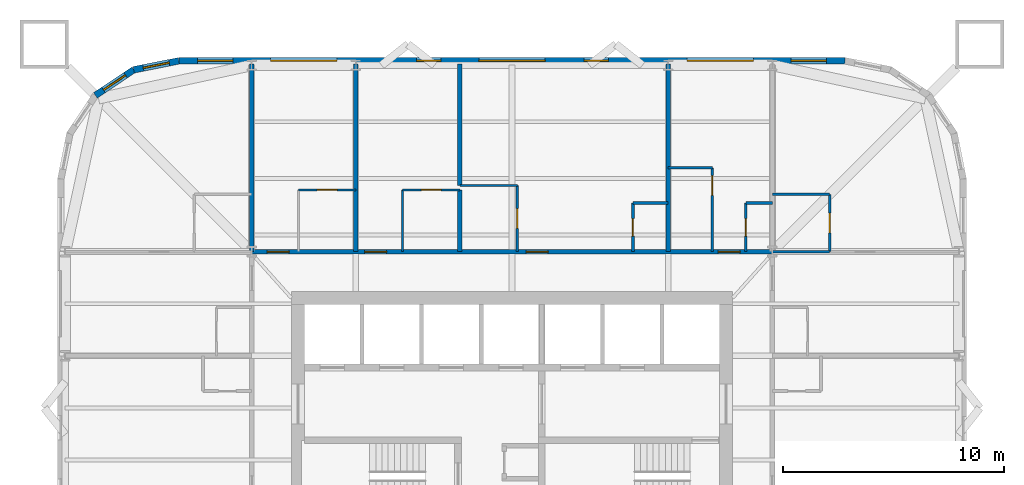
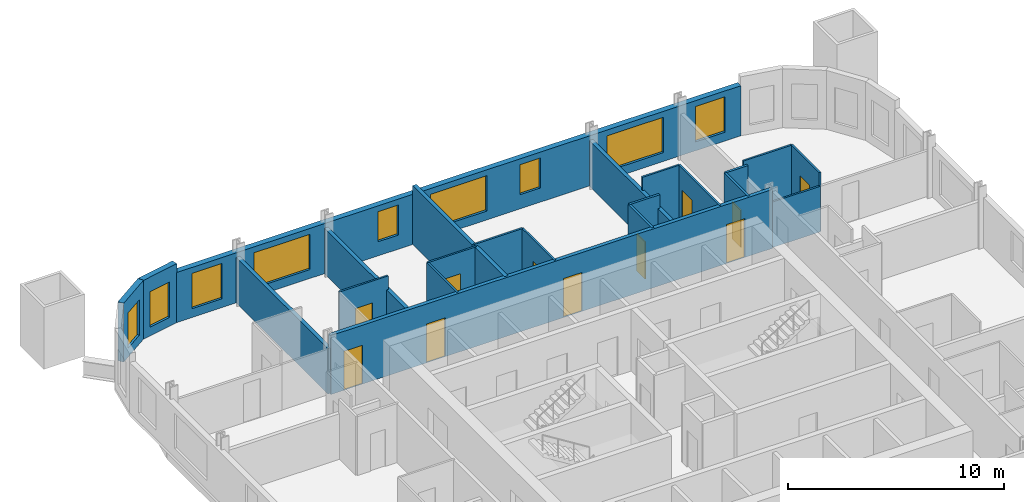
# One storey, part 7 of 9: 23 walls, 11 doors, 9 windows, 20 openings.
"""IFC4 building model written with IfcOpenShell, lengths in metres."""

from ifc_helpers import new_model, si_unit, direction, frame, frame_2d, origin, place, context, subcontext, project, spatial, rectangle, extrude, material, layer, layer_set, type_object, element, fill, save


model = new_model("IFC4")

# Units and contexts
model_context = context("Model", 3, precision=1e-05, world=origin(), true_north=direction((0.0, 1.0)))
body_context = subcontext(model_context, "Body", "Model", "MODEL_VIEW")
ifc_project = project(units=[si_unit("LENGTHUNIT", "METRE"), si_unit("AREAUNIT", "SQUARE_METRE"), si_unit("VOLUMEUNIT", "CUBIC_METRE"), si_unit("PLANEANGLEUNIT", "RADIAN"), si_unit("MASSUNIT", "GRAM", prefix="KILO")], contexts=[model_context])

# Site, building, storey
site_placement = place(None, origin())
site = spatial("IfcSite", under=ifc_project, at=site_placement, CompositionType="ELEMENT")
building_placement = place(site_placement, origin())
building = spatial("IfcBuilding", under=site, at=building_placement, Name="Turquesa Mirador Hotel Tower", CompositionType="ELEMENT")
storey_placement = place(building_placement, frame((0.0, 0.0, 131.89990234375)))
storey = spatial("IfcBuildingStorey", under=building, at=storey_placement, Name="L35", CompositionType="ELEMENT", Elevation=131.89990234375)

# Walls
ifc_material_1 = material(Name="Gypsum board on steel studs", Category="steel")
ifc_layer_1 = layer(ifc_material_1, 0.10009765625)
ifc_layer_set_1 = layer_set([ifc_layer_1], Name="BATHROOM WALL 100")
wall_type_1 = type_object("IfcWallType", Name="BATHROOM WALL 100", PredefinedType="PARTITIONING", material=ifc_layer_set_1)
wall_1_placement = place(storey_placement, frame((66.800048828125, 56.800048828125, 0.0), z_axis=(0.0, 0.0, 1.0), x_axis=(1.0, 0.0, 0.0)))
element("IfcWall", 1, at=wall_1_placement, inside=storey, type_object=wall_type_1, Name="Partition L35 025", PredefinedType="PARTITIONING", context=body_context, shape_type="SweptSolid", body=[
    extrude(rectangle(XDim=2.599853515625, YDim=0.10009765625, at=frame_2d((1.2998046875, 0.0))), origin(), (0.0, 0.0, 1.0), 2.5732421875),
])
wall_2_placement = place(storey_placement, frame((66.800048828125, 59.39990234375, 0.0), z_axis=(0.0, 0.0, 1.0), x_axis=(1.0, 0.0, 0.0)))
element("IfcWall", 2, at=wall_2_placement, inside=storey, type_object=wall_type_1, Name="Partition L35 032", PredefinedType="PARTITIONING", context=body_context, shape_type="SweptSolid", body=[
    extrude(rectangle(XDim=2.599853515625, YDim=0.10009765625, at=frame_2d((1.2998046875, 0.0))), origin(), (0.0, 0.0, 1.0), 3.330078125),
])

# Wall, opening, door
wall_3_placement = place(storey_placement, frame((45.320068359375, 59.60009765625, 0.0), z_axis=(0.0, 0.0, 1.0), x_axis=(1.0, 0.0, 0.0)))
wall_3 = element("IfcWall", 3, at=wall_3_placement, inside=storey, type_object=wall_type_1, Name="Partition L35 033", PredefinedType="PARTITIONING", context=body_context, shape_type="SweptSolid", body=[
    extrude(rectangle(XDim=2.599853515625, YDim=0.10009765625, at=frame_2d((1.2998046875, 0.0))), origin(), (0.0, 0.0, 1.0), 3.330078125),
])
opening_1_placement = place(wall_3_placement, frame((0.85009765625, 0.0, 0.0)))
opening_1 = element("IfcOpeningElement", 4, at=opening_1_placement, cuts=wall_3, Name="Opening D02", PredefinedType="OPENING", context=body_context, shape_type="SweptSolid", body=[
    extrude(rectangle(XDim=0.89990234375, YDim=2.10009765625, at=frame_2d((0.449951171875, 1.050048828125))), frame((0.0, 0.06005859375, 0.0), z_axis=(0.0, -1.0, 0.0), x_axis=(1.0, 0.0, 0.0)), (0.0, 0.0, 1.0), 0.1201171875),
])
ifc_material_2 = material(Name="Timber veneered door", Category="wood")
door_type_1 = type_object("IfcDoorType", Name="DOOR 900X2100 EN-SUITE", OperationType="SINGLE_SWING_RIGHT", PredefinedType="DOOR", material=ifc_material_2)
door_1_placement = place(opening_1_placement, origin())
door_1 = element("IfcDoor", 5, at=door_1_placement, inside=storey, type_object=door_type_1, Name="Door 3501B", OperationType="SINGLE_SWING_RIGHT", OverallHeight=2.10009765625, OverallWidth=0.89990234375, PredefinedType="DOOR", context=body_context, shape_type="SweptSolid", body=[
    extrude(rectangle(XDim=0.89990234375, YDim=2.10009765625, at=frame_2d((0.449951171875, 1.050048828125))), frame((0.0, 0.02490234375, 0.0), z_axis=(0.0, -1.0, 0.0), x_axis=(1.0, 0.0, 0.0)), (0.0, 0.0, 1.0), 0.050048828125),
])
fill(opening_1, door_1)

wall_4_placement = place(storey_placement, frame((50.0400390625, 59.60009765625, 0.0), z_axis=(0.0, 0.0, 1.0), x_axis=(1.0, 0.0, 0.0)))
wall_4 = element("IfcWall", 6, at=wall_4_placement, inside=storey, type_object=wall_type_1, Name="Partition L35 034", PredefinedType="PARTITIONING", context=body_context, shape_type="SweptSolid", body=[
    extrude(rectangle(XDim=2.599853515625, YDim=0.10009765625, at=frame_2d((1.2998046875, 0.0))), origin(), (0.0, 0.0, 1.0), 3.330078125),
])
opening_2_placement = place(wall_4_placement, frame((0.85009765625, 0.0, 0.0)))
opening_2 = element("IfcOpeningElement", 7, at=opening_2_placement, cuts=wall_4, Name="Opening D02", PredefinedType="OPENING", context=body_context, shape_type="SweptSolid", body=[
    extrude(rectangle(XDim=0.89990234375, YDim=2.10009765625, at=frame_2d((0.449951171875, 1.050048828125))), frame((0.0, 0.06005859375, 0.0), z_axis=(0.0, -1.0, 0.0), x_axis=(1.0, 0.0, 0.0)), (0.0, 0.0, 1.0), 0.1201171875),
])
door_2_placement = place(opening_2_placement, origin())
door_2 = element("IfcDoor", 8, at=door_2_placement, inside=storey, type_object=door_type_1, Name="Door 3502B", OperationType="SINGLE_SWING_RIGHT", OverallHeight=2.10009765625, OverallWidth=0.89990234375, PredefinedType="DOOR", context=body_context, shape_type="SweptSolid", body=[
    extrude(rectangle(XDim=0.89990234375, YDim=2.10009765625, at=frame_2d((0.449951171875, 1.050048828125))), frame((0.0, 0.02490234375, 0.0), z_axis=(0.0, -1.0, 0.0), x_axis=(1.0, 0.0, 0.0)), (0.0, 0.0, 1.0), 0.050048828125),
])
fill(opening_2, door_2)

# Walls
wall_5_placement = place(storey_placement, frame((52.639892578125, 59.800048828125, 0.0), z_axis=(0.0, 0.0, 1.0), x_axis=(1.0, 0.0, 0.0)))
element("IfcWall", 9, at=wall_5_placement, inside=storey, type_object=wall_type_1, Name="Partition L35 035", PredefinedType="PARTITIONING", context=body_context, shape_type="SweptSolid", body=[
    extrude(rectangle(XDim=2.60009765625, YDim=0.10009765625, at=frame_2d((1.300048828125, 0.0))), origin(), (0.0, 0.0, 1.0), 3.330078125),
])
wall_6_placement = place(storey_placement, frame((62.080078125, 60.60009765625, 0.0), z_axis=(0.0, 0.0, 1.0), x_axis=(1.0, 0.0, 0.0)))
element("IfcWall", 10, at=wall_6_placement, inside=storey, type_object=wall_type_1, Name="Partition L35 036", PredefinedType="PARTITIONING", context=body_context, shape_type="SweptSolid", body=[
    extrude(rectangle(XDim=2.0, YDim=0.10009765625, at=frame_2d((1.0, 0.0))), origin(), (0.0, 0.0, 1.0), 3.330078125),
])
wall_7_placement = place(storey_placement, frame((50.0400390625, 56.800048828125, 0.0), z_axis=(0.0, 0.0, 1.0), x_axis=(0.0, 1.0, 0.0)))
element("IfcWall", 11, at=wall_7_placement, inside=storey, type_object=wall_type_1, Name="Partition L35 059", PredefinedType="PARTITIONING", context=body_context, shape_type="SweptSolid", body=[
    extrude(rectangle(XDim=2.800048828125, YDim=0.10009765625, at=frame_2d((1.39990234375, 0.0))), origin(), (0.0, 0.0, 1.0), 3.330078125),
])

# Wall, opening, door
wall_8_placement = place(storey_placement, frame((55.239990234375, 56.800048828125, 0.0), z_axis=(0.0, 0.0, 1.0), x_axis=(0.0, 1.0, 0.0)))
wall_8 = element("IfcWall", 12, at=wall_8_placement, inside=storey, type_object=wall_type_1, Name="Partition L35 063", PredefinedType="PARTITIONING", context=body_context, shape_type="SweptSolid", body=[
    extrude(rectangle(XDim=3.0, YDim=0.10009765625, at=frame_2d((1.5, 0.0))), origin(), (0.0, 0.0, 1.0), 3.330078125),
])
opening_3_placement = place(wall_8_placement, frame((1.050048828125, 0.0, 0.0)))
opening_3 = element("IfcOpeningElement", 13, at=opening_3_placement, cuts=wall_8, Name="Opening D02", PredefinedType="OPENING", context=body_context, shape_type="SweptSolid", body=[
    extrude(rectangle(XDim=0.89990234375, YDim=2.10009765625, at=frame_2d((0.449951171875, 1.050048828125))), frame((0.0, 0.06005859375, 0.0), z_axis=(0.0, -1.0, 0.0), x_axis=(1.0, 0.0, 0.0)), (0.0, 0.0, 1.0), 0.1201171875),
])
door_3_placement = place(opening_3_placement, origin())
door_3 = element("IfcDoor", 14, at=door_3_placement, inside=storey, type_object=door_type_1, Name="Door 3503B", OperationType="SINGLE_SWING_RIGHT", OverallHeight=2.10009765625, OverallWidth=0.89990234375, PredefinedType="DOOR", context=body_context, shape_type="SweptSolid", body=[
    extrude(rectangle(XDim=0.89990234375, YDim=2.10009765625, at=frame_2d((0.449951171875, 1.050048828125))), frame((0.0, 0.02490234375, 0.0), z_axis=(0.0, -1.0, 0.0), x_axis=(1.0, 0.0, 0.0)), (0.0, 0.0, 1.0), 0.050048828125),
])
fill(opening_3, door_3)

wall_9_placement = place(storey_placement, frame((69.39990234375, 56.800048828125, 0.0), z_axis=(0.0, 0.0, 1.0), x_axis=(0.0, 1.0, 0.0)))
wall_9 = element("IfcWall", 15, at=wall_9_placement, inside=storey, type_object=wall_type_1, Name="Partition L35 072", PredefinedType="PARTITIONING", context=body_context, shape_type="SweptSolid", body=[
    extrude(rectangle(XDim=2.599853515625, YDim=0.10009765625, at=frame_2d((1.2998046875, 0.0))), origin(), (0.0, 0.0, 1.0), 3.330078125),
])
opening_4_placement = place(wall_9_placement, frame((0.85009765625, 0.0, 0.0)))
opening_4 = element("IfcOpeningElement", 16, at=opening_4_placement, cuts=wall_9, Name="Opening D02", PredefinedType="OPENING", context=body_context, shape_type="SweptSolid", body=[
    extrude(rectangle(XDim=0.89990234375, YDim=2.10009765625, at=frame_2d((0.449951171875, 1.050048828125))), frame((0.0, 0.06005859375, 0.0), z_axis=(0.0, -1.0, 0.0), x_axis=(1.0, 0.0, 0.0)), (0.0, 0.0, 1.0), 0.1201171875),
])
door_4_placement = place(opening_4_placement, origin())
door_4 = element("IfcDoor", 17, at=door_4_placement, inside=storey, type_object=door_type_1, Name="Door 3511B", OperationType="SINGLE_SWING_RIGHT", OverallHeight=2.10009765625, OverallWidth=0.89990234375, PredefinedType="DOOR", context=body_context, shape_type="SweptSolid", body=[
    extrude(rectangle(XDim=0.89990234375, YDim=2.10009765625, at=frame_2d((0.449951171875, 1.050048828125))), frame((0.0, 0.02490234375, 0.0), z_axis=(0.0, -1.0, 0.0), x_axis=(1.0, 0.0, 0.0)), (0.0, 0.0, 1.0), 0.050048828125),
])
fill(opening_4, door_4)

wall_10_placement = place(storey_placement, frame((64.080078125, 56.800048828125, 0.0), z_axis=(0.0, 0.0, 1.0), x_axis=(0.0, 1.0, 0.0)))
wall_10 = element("IfcWall", 18, at=wall_10_placement, inside=storey, type_object=wall_type_1, Name="Partition L35 078", PredefinedType="PARTITIONING", context=body_context, shape_type="SweptSolid", body=[
    extrude(rectangle(XDim=3.800048828125, YDim=0.10009765625, at=frame_2d((1.89990234375, 0.0))), origin(), (0.0, 0.0, 1.0), 3.330078125),
])
opening_5_placement = place(wall_10_placement, frame((2.550048828125, 0.0, 0.0)))
opening_5 = element("IfcOpeningElement", 19, at=opening_5_placement, cuts=wall_10, Name="Opening D02", PredefinedType="OPENING", context=body_context, shape_type="SweptSolid", body=[
    extrude(rectangle(XDim=0.89990234375, YDim=2.10009765625, at=frame_2d((0.449951171875, 1.050048828125))), frame((0.0, 0.06005859375, 0.0), z_axis=(0.0, -1.0, 0.0), x_axis=(1.0, 0.0, 0.0)), (0.0, 0.0, 1.0), 0.1201171875),
])
door_5_placement = place(opening_5_placement, origin())
door_5 = element("IfcDoor", 20, at=door_5_placement, inside=storey, type_object=door_type_1, Name="Door 3504B", OperationType="SINGLE_SWING_RIGHT", OverallHeight=2.10009765625, OverallWidth=0.89990234375, PredefinedType="DOOR", context=body_context, shape_type="SweptSolid", body=[
    extrude(rectangle(XDim=0.89990234375, YDim=2.10009765625, at=frame_2d((0.449951171875, 1.050048828125))), frame((0.0, 0.02490234375, 0.0), z_axis=(0.0, -1.0, 0.0), x_axis=(1.0, 0.0, 0.0)), (0.0, 0.0, 1.0), 0.050048828125),
])
fill(opening_5, door_5)

# Wall, openings, doors
ifc_material_3 = material(Name="Fire-rated gypsum board on steel studs", Category="steel")
ifc_layer_2 = layer(ifc_material_3, 0.199951171875)
ifc_layer_set_2 = layer_set([ifc_layer_2], Name="CORRIDOR WALL 200")
wall_type_2 = type_object("IfcWallType", Name="CORRIDOR WALL 200", PredefinedType="PARTITIONING", material=ifc_layer_set_2)
wall_11_placement = place(storey_placement, frame((43.199951171875, 56.800048828125, 0.0), z_axis=(0.0, 0.0, 1.0), x_axis=(1.0, 0.0, 0.0)))
wall_11 = element("IfcWall", 21, at=wall_11_placement, inside=storey, type_object=wall_type_2, Name="Partition L35 026", PredefinedType="PARTITIONING", context=body_context, shape_type="SweptSolid", body=[
    extrude(rectangle(XDim=23.60009765625, YDim=0.199951171875, at=frame_2d((11.800048828125, 0.0))), origin(), (0.0, 0.0, 1.0), 3.330078125),
])
opening_6_placement = place(wall_11_placement, frame((0.699951171875, 0.0, 0.0)))
opening_6 = element("IfcOpeningElement", 22, at=opening_6_placement, cuts=wall_11, Name="Opening D01", PredefinedType="OPENING", context=body_context, shape_type="SweptSolid", body=[
    extrude(rectangle(XDim=1.0, YDim=2.199951171875, at=frame_2d((0.5, 1.10009765625))), frame((0.0, 0.10986328125, 0.0), z_axis=(0.0, -1.0, 0.0), x_axis=(1.0, 0.0, 0.0)), (0.0, 0.0, 1.0), 0.219970703125),
])
opening_7_placement = place(wall_11_placement, frame((5.1201171875, 0.0, 0.0)))
opening_7 = element("IfcOpeningElement", 23, at=opening_7_placement, cuts=wall_11, Name="Opening D01", PredefinedType="OPENING", context=body_context, shape_type="SweptSolid", body=[
    extrude(rectangle(XDim=1.0, YDim=2.199951171875, at=frame_2d((0.5, 1.10009765625))), frame((0.0, 0.10986328125, 0.0), z_axis=(0.0, -1.0, 0.0), x_axis=(1.0, 0.0, 0.0)), (0.0, 0.0, 1.0), 0.219970703125),
])
opening_8_placement = place(wall_11_placement, frame((12.43994140625, 0.0, 0.0)))
opening_8 = element("IfcOpeningElement", 24, at=opening_8_placement, cuts=wall_11, Name="Opening D01", PredefinedType="OPENING", context=body_context, shape_type="SweptSolid", body=[
    extrude(rectangle(XDim=1.0, YDim=2.199951171875, at=frame_2d((0.5, 1.10009765625))), frame((0.0, 0.10986328125, 0.0), z_axis=(0.0, -1.0, 0.0), x_axis=(1.0, 0.0, 0.0)), (0.0, 0.0, 1.0), 0.219970703125),
])
opening_9_placement = place(wall_11_placement, frame((21.139892578125, 0.0, 0.0)))
opening_9 = element("IfcOpeningElement", 25, at=opening_9_placement, cuts=wall_11, Name="Opening D01", PredefinedType="OPENING", context=body_context, shape_type="SweptSolid", body=[
    extrude(rectangle(XDim=1.0, YDim=2.199951171875, at=frame_2d((0.5, 1.10009765625))), frame((0.0, 0.10986328125, 0.0), z_axis=(0.0, -1.0, 0.0), x_axis=(1.0, 0.0, 0.0)), (0.0, 0.0, 1.0), 0.219970703125),
])
ifc_material_4 = material(Name="Timber veneered fire door", Category="wood")
door_type_2 = type_object("IfcDoorType", Name="DOOR 1000X2200 GUEST ENTRY", OperationType="SINGLE_SWING_LEFT", PredefinedType="DOOR", material=ifc_material_4)
door_6_placement = place(opening_6_placement, origin())
door_6 = element("IfcDoor", 26, at=door_6_placement, inside=storey, type_object=door_type_2, Name="Door 3501", OperationType="SINGLE_SWING_LEFT", OverallHeight=2.199951171875, OverallWidth=1.0, PredefinedType="DOOR", context=body_context, shape_type="SweptSolid", body=[
    extrude(rectangle(XDim=1.0, YDim=2.199951171875, at=frame_2d((0.5, 1.10009765625))), frame((0.0, 0.02490234375, 0.0), z_axis=(0.0, -1.0, 0.0), x_axis=(1.0, 0.0, 0.0)), (0.0, 0.0, 1.0), 0.050048828125),
])
fill(opening_6, door_6)
door_7_placement = place(opening_7_placement, origin())
door_7 = element("IfcDoor", 27, at=door_7_placement, inside=storey, type_object=door_type_2, Name="Door 3502", OperationType="SINGLE_SWING_LEFT", OverallHeight=2.199951171875, OverallWidth=1.0, PredefinedType="DOOR", context=body_context, shape_type="SweptSolid", body=[
    extrude(rectangle(XDim=1.0, YDim=2.199951171875, at=frame_2d((0.5, 1.10009765625))), frame((0.0, 0.02490234375, 0.0), z_axis=(0.0, -1.0, 0.0), x_axis=(1.0, 0.0, 0.0)), (0.0, 0.0, 1.0), 0.050048828125),
])
fill(opening_7, door_7)
door_8_placement = place(opening_8_placement, origin())
door_8 = element("IfcDoor", 28, at=door_8_placement, inside=storey, type_object=door_type_2, Name="Door 3503", OperationType="SINGLE_SWING_LEFT", OverallHeight=2.199951171875, OverallWidth=1.0, PredefinedType="DOOR", context=body_context, shape_type="SweptSolid", body=[
    extrude(rectangle(XDim=1.0, YDim=2.199951171875, at=frame_2d((0.5, 1.10009765625))), frame((0.0, 0.02490234375, 0.0), z_axis=(0.0, -1.0, 0.0), x_axis=(1.0, 0.0, 0.0)), (0.0, 0.0, 1.0), 0.050048828125),
])
fill(opening_8, door_8)
door_9_placement = place(opening_9_placement, origin())
door_9 = element("IfcDoor", 29, at=door_9_placement, inside=storey, type_object=door_type_2, Name="Door 3504", OperationType="SINGLE_SWING_LEFT", OverallHeight=2.199951171875, OverallWidth=1.0, PredefinedType="DOOR", context=body_context, shape_type="SweptSolid", body=[
    extrude(rectangle(XDim=1.0, YDim=2.199951171875, at=frame_2d((0.5, 1.10009765625))), frame((0.0, 0.02490234375, 0.0), z_axis=(0.0, -1.0, 0.0), x_axis=(1.0, 0.0, 0.0)), (0.0, 0.0, 1.0), 0.050048828125),
])
fill(opening_9, door_9)

# Wall, openings, windows
ifc_material_5 = material(Name="Limestone cladding on concrete block", Category="masonry")
ifc_layer_3 = layer(ifc_material_5, 0.300048828125)
ifc_layer_set_3 = layer_set([ifc_layer_3], Name="FACADE WALL 300 STONE SCREEN")
wall_type_3 = type_object("IfcWallType", Name="FACADE WALL 300 STONE SCREEN", PredefinedType="SOLIDWALL", material=ifc_layer_set_3)
wall_12_placement = place(storey_placement, frame((70.10009765625, 65.449951171875, 0.0), z_axis=(0.0, 0.0, 1.0), x_axis=(-1.0, 0.0, 0.0)))
wall_12 = element("IfcWall", 30, at=wall_12_placement, inside=storey, type_object=wall_type_3, Name="Facade wall L35 09", PredefinedType="SOLIDWALL", context=body_context, shape_type="SweptSolid", body=[
    extrude(rectangle(XDim=30.2001953125, YDim=0.300048828125, at=frame_2d((15.10009765625, 0.0))), origin(), (0.0, 0.0, 1.0), 2.830078125),
])
opening_10_placement = place(wall_12_placement, frame((0.85009765625, 0.0, 0.5)))
opening_10 = element("IfcOpeningElement", 31, at=opening_10_placement, cuts=wall_12, Name="Opening WN3", PredefinedType="OPENING", context=body_context, shape_type="SweptSolid", body=[
    extrude(rectangle(XDim=1.60009765625, YDim=2.0, at=frame_2d((0.800048828125, 1.0))), frame((0.0, 0.159912109375, 0.0), z_axis=(0.0, -1.0, 0.0), x_axis=(1.0, 0.0, 0.0)), (0.0, 0.0, 1.0), 0.320068359375),
])
opening_11_placement = place(wall_12_placement, frame((4.159912109375, 0.0, 0.5)))
opening_11 = element("IfcOpeningElement", 32, at=opening_11_placement, cuts=wall_12, Name="Opening WN1", PredefinedType="OPENING", context=body_context, shape_type="SweptSolid", body=[
    extrude(rectangle(XDim=3.0, YDim=2.0, at=frame_2d((1.5, 1.0))), frame((0.0, 0.159912109375, 0.0), z_axis=(0.0, -1.0, 0.0), x_axis=(1.0, 0.0, 0.0)), (0.0, 0.0, 1.0), 0.320068359375),
])
opening_12_placement = place(wall_12_placement, frame((10.72998046875, 0.0, 0.800048828125)))
opening_12 = element("IfcOpeningElement", 33, at=opening_12_placement, cuts=wall_12, Name="Opening WN26", PredefinedType="OPENING", context=body_context, shape_type="SweptSolid", body=[
    extrude(rectangle(XDim=1.10009765625, YDim=1.699951171875, at=frame_2d((0.550048828125, 0.85009765625))), frame((0.0, 0.159912109375, 0.0), z_axis=(0.0, -1.0, 0.0), x_axis=(1.0, 0.0, 0.0)), (0.0, 0.0, 1.0), 0.320068359375),
])
opening_13_placement = place(wall_12_placement, frame((13.60009765625, 0.0, 0.5)))
opening_13 = element("IfcOpeningElement", 34, at=opening_13_placement, cuts=wall_12, Name="Opening WN1", PredefinedType="OPENING", context=body_context, shape_type="SweptSolid", body=[
    extrude(rectangle(XDim=3.0, YDim=2.0, at=frame_2d((1.5, 1.0))), frame((0.0, 0.159912109375, 0.0), z_axis=(0.0, -1.0, 0.0), x_axis=(1.0, 0.0, 0.0)), (0.0, 0.0, 1.0), 0.320068359375),
])
opening_14_placement = place(wall_12_placement, frame((18.320068359375, 0.0, 0.800048828125)))
opening_14 = element("IfcOpeningElement", 35, at=opening_14_placement, cuts=wall_12, Name="Opening WN26", PredefinedType="OPENING", context=body_context, shape_type="SweptSolid", body=[
    extrude(rectangle(XDim=1.10009765625, YDim=1.699951171875, at=frame_2d((0.550048828125, 0.85009765625))), frame((0.0, 0.159912109375, 0.0), z_axis=(0.0, -1.0, 0.0), x_axis=(1.0, 0.0, 0.0)), (0.0, 0.0, 1.0), 0.320068359375),
])
opening_15_placement = place(wall_12_placement, frame((23.0400390625, 0.0, 0.5)))
opening_15 = element("IfcOpeningElement", 36, at=opening_15_placement, cuts=wall_12, Name="Opening WN1", PredefinedType="OPENING", context=body_context, shape_type="SweptSolid", body=[
    extrude(rectangle(XDim=3.0, YDim=2.0, at=frame_2d((1.5, 1.0))), frame((0.0, 0.159912109375, 0.0), z_axis=(0.0, -1.0, 0.0), x_axis=(1.0, 0.0, 0.0)), (0.0, 0.0, 1.0), 0.320068359375),
])
opening_16_placement = place(wall_12_placement, frame((27.75, 0.0, 0.5)))
opening_16 = element("IfcOpeningElement", 37, at=opening_16_placement, cuts=wall_12, Name="Opening WN3", PredefinedType="OPENING", context=body_context, shape_type="SweptSolid", body=[
    extrude(rectangle(XDim=1.60009765625, YDim=2.0, at=frame_2d((0.800048828125, 1.0))), frame((0.0, 0.159912109375, 0.0), z_axis=(0.0, -1.0, 0.0), x_axis=(1.0, 0.0, 0.0)), (0.0, 0.0, 1.0), 0.320068359375),
])
ifc_material_6 = material(Name="Ceramic-fritted laminated glass", Category="glass")
window_type_1 = type_object("IfcWindowType", Name="FRITTED WINDOW 1100X1700", PartitioningType="DOUBLE_PANEL_HORIZONTAL", PredefinedType="WINDOW", material=ifc_material_6)
window_1_placement = place(opening_12_placement, origin())
window_1 = element("IfcWindow", 38, at=window_1_placement, inside=storey, type_object=window_type_1, Name="Window L35", OverallHeight=1.699951171875, OverallWidth=1.10009765625, PartitioningType="SINGLE_PANEL", PredefinedType="WINDOW", context=body_context, shape_type="SweptSolid", body=[
    extrude(rectangle(XDim=1.10009765625, YDim=1.699951171875, at=frame_2d((0.550048828125, 0.85009765625))), frame((0.0, 0.030029296875, 0.0), z_axis=(0.0, -1.0, 0.0), x_axis=(1.0, 0.0, 0.0)), (0.0, 0.0, 1.0), 0.06005859375),
])
fill(opening_12, window_1)
window_2_placement = place(opening_14_placement, origin())
window_2 = element("IfcWindow", 39, at=window_2_placement, inside=storey, type_object=window_type_1, Name="Window L35", OverallHeight=1.699951171875, OverallWidth=1.10009765625, PartitioningType="SINGLE_PANEL", PredefinedType="WINDOW", context=body_context, shape_type="SweptSolid", body=[
    extrude(rectangle(XDim=1.10009765625, YDim=1.699951171875, at=frame_2d((0.550048828125, 0.85009765625))), frame((0.0, 0.030029296875, 0.0), z_axis=(0.0, -1.0, 0.0), x_axis=(1.0, 0.0, 0.0)), (0.0, 0.0, 1.0), 0.06005859375),
])
fill(opening_14, window_2)
ifc_material_7 = material(Name="Ceramic-fritted laminated glass", Category="glass")
window_type_2 = type_object("IfcWindowType", Name="FRITTED WINDOW 1600X2000", PartitioningType="DOUBLE_PANEL_HORIZONTAL", PredefinedType="WINDOW", material=ifc_material_7)
window_3_placement = place(opening_10_placement, origin())
window_3 = element("IfcWindow", 40, at=window_3_placement, inside=storey, type_object=window_type_2, Name="Window L35", OverallHeight=2.0, OverallWidth=1.60009765625, PartitioningType="SINGLE_PANEL", PredefinedType="WINDOW", context=body_context, shape_type="SweptSolid", body=[
    extrude(rectangle(XDim=1.60009765625, YDim=2.0, at=frame_2d((0.800048828125, 1.0))), frame((0.0, 0.030029296875, 0.0), z_axis=(0.0, -1.0, 0.0), x_axis=(1.0, 0.0, 0.0)), (0.0, 0.0, 1.0), 0.06005859375),
])
fill(opening_10, window_3)
window_4_placement = place(opening_16_placement, origin())
window_4 = element("IfcWindow", 41, at=window_4_placement, inside=storey, type_object=window_type_2, Name="Window L35", OverallHeight=2.0, OverallWidth=1.60009765625, PartitioningType="SINGLE_PANEL", PredefinedType="WINDOW", context=body_context, shape_type="SweptSolid", body=[
    extrude(rectangle(XDim=1.60009765625, YDim=2.0, at=frame_2d((0.800048828125, 1.0))), frame((0.0, 0.030029296875, 0.0), z_axis=(0.0, -1.0, 0.0), x_axis=(1.0, 0.0, 0.0)), (0.0, 0.0, 1.0), 0.06005859375),
])
fill(opening_16, window_4)
ifc_material_8 = material(Name="Ceramic-fritted laminated glass", Category="glass")
window_type_3 = type_object("IfcWindowType", Name="FRITTED WINDOW 3000X2000", PartitioningType="DOUBLE_PANEL_HORIZONTAL", PredefinedType="WINDOW", material=ifc_material_8)
window_5_placement = place(opening_11_placement, origin())
window_5 = element("IfcWindow", 42, at=window_5_placement, inside=storey, type_object=window_type_3, Name="Window L35", OverallHeight=2.0, OverallWidth=3.0, PartitioningType="SINGLE_PANEL", PredefinedType="WINDOW", context=body_context, shape_type="SweptSolid", body=[
    extrude(rectangle(XDim=3.0, YDim=2.0, at=frame_2d((1.5, 1.0))), frame((0.0, 0.030029296875, 0.0), z_axis=(0.0, -1.0, 0.0), x_axis=(1.0, 0.0, 0.0)), (0.0, 0.0, 1.0), 0.06005859375),
])
fill(opening_11, window_5)
window_6_placement = place(opening_13_placement, origin())
window_6 = element("IfcWindow", 43, at=window_6_placement, inside=storey, type_object=window_type_3, Name="Window L35", OverallHeight=2.0, OverallWidth=3.0, PartitioningType="SINGLE_PANEL", PredefinedType="WINDOW", context=body_context, shape_type="SweptSolid", body=[
    extrude(rectangle(XDim=3.0, YDim=2.0, at=frame_2d((1.5, 1.0))), frame((0.0, 0.030029296875, 0.0), z_axis=(0.0, -1.0, 0.0), x_axis=(1.0, 0.0, 0.0)), (0.0, 0.0, 1.0), 0.06005859375),
])
fill(opening_13, window_6)
window_7_placement = place(opening_15_placement, origin())
window_7 = element("IfcWindow", 44, at=window_7_placement, inside=storey, type_object=window_type_3, Name="Window L35", OverallHeight=2.0, OverallWidth=3.0, PartitioningType="SINGLE_PANEL", PredefinedType="WINDOW", context=body_context, shape_type="SweptSolid", body=[
    extrude(rectangle(XDim=3.0, YDim=2.0, at=frame_2d((1.5, 1.0))), frame((0.0, 0.030029296875, 0.0), z_axis=(0.0, -1.0, 0.0), x_axis=(1.0, 0.0, 0.0)), (0.0, 0.0, 1.0), 0.06005859375),
])
fill(opening_15, window_7)

# Wall, opening, window
wall_13_placement = place(storey_placement, frame((39.89990234375, 65.449951171875, 0.0), z_axis=(0.0, 0.0, 1.0), x_axis=(-0.980787050784, -0.195081421501, 0.0)))
wall_13 = element("IfcWall", 45, at=wall_13_placement, inside=storey, type_object=wall_type_3, Name="Facade wall L35 10", PredefinedType="SOLIDWALL", context=body_context, shape_type="SweptSolid", body=[
    extrude(rectangle(XDim=2.08740234375, YDim=0.300048828125, at=frame_2d((1.043701171875, 0.0))), origin(), (0.0, 0.0, 1.0), 3.330078125),
])
opening_17_placement = place(wall_13_placement, frame((0.443603515625, 0.0, 0.5)))
opening_17 = element("IfcOpeningElement", 46, at=opening_17_placement, cuts=wall_13, Name="Opening WN4", PredefinedType="OPENING", context=body_context, shape_type="SweptSolid", body=[
    extrude(rectangle(XDim=1.199951171875, YDim=2.0, at=frame_2d((0.60009765625, 1.0))), frame((0.0, 0.159912109375, 0.0), z_axis=(0.0, -1.0, 0.0), x_axis=(1.0, 0.0, 0.0)), (0.0, 0.0, 1.0), 0.320068359375),
])
ifc_material_9 = material(Name="Ceramic-fritted laminated glass", Category="glass")
window_type_4 = type_object("IfcWindowType", Name="FRITTED CORNER WINDOW 1200X2000", PartitioningType="DOUBLE_PANEL_HORIZONTAL", PredefinedType="WINDOW", material=ifc_material_9)
window_8_placement = place(opening_17_placement, origin())
window_8 = element("IfcWindow", 47, at=window_8_placement, inside=storey, type_object=window_type_4, Name="Window L35", OverallHeight=2.0, OverallWidth=1.199951171875, PartitioningType="SINGLE_PANEL", PredefinedType="WINDOW", context=body_context, shape_type="SweptSolid", body=[
    extrude(rectangle(XDim=1.199951171875, YDim=2.0, at=frame_2d((0.60009765625, 1.0))), frame((0.0, 0.030029296875, 0.0), z_axis=(0.0, -1.0, 0.0), x_axis=(1.0, 0.0, 0.0)), (0.0, 0.0, 1.0), 0.06005859375),
])
fill(opening_17, window_8)

wall_14_placement = place(storey_placement, frame((37.8525390625, 65.042724609375, 0.0), z_axis=(0.0, 0.0, 1.0), x_axis=(-0.831474039234, -0.555563607591, 0.0)))
wall_14 = element("IfcWall", 48, at=wall_14_placement, inside=storey, type_object=wall_type_3, Name="Facade wall L35 11", PredefinedType="SOLIDWALL", context=body_context, shape_type="SweptSolid", body=[
    extrude(rectangle(XDim=2.08740234375, YDim=0.300048828125, at=frame_2d((1.043701171875, 0.0))), origin(), (0.0, 0.0, 1.0), 3.330078125),
])
opening_18_placement = place(wall_14_placement, frame((0.443603515625, 0.0, 0.5)))
opening_18 = element("IfcOpeningElement", 49, at=opening_18_placement, cuts=wall_14, Name="Opening WN4", PredefinedType="OPENING", context=body_context, shape_type="SweptSolid", body=[
    extrude(rectangle(XDim=1.199951171875, YDim=2.0, at=frame_2d((0.60009765625, 1.0))), frame((0.0, 0.159912109375, 0.0), z_axis=(0.0, -1.0, 0.0), x_axis=(1.0, 0.0, 0.0)), (0.0, 0.0, 1.0), 0.320068359375),
])
window_9_placement = place(opening_18_placement, origin())
window_9 = element("IfcWindow", 50, at=window_9_placement, inside=storey, type_object=window_type_4, Name="Window L35", OverallHeight=2.0, OverallWidth=1.199951171875, PartitioningType="SINGLE_PANEL", PredefinedType="WINDOW", context=body_context, shape_type="SweptSolid", body=[
    extrude(rectangle(XDim=1.199951171875, YDim=2.0, at=frame_2d((0.60009765625, 1.0))), frame((0.0, 0.030029296875, 0.0), z_axis=(0.0, -1.0, 0.0), x_axis=(1.0, 0.0, 0.0)), (0.0, 0.0, 1.0), 0.06005859375),
])
fill(opening_18, window_9)

# Walls
ifc_material_10 = material(Name="Fire-rated gypsum board on steel studs", Category="steel")
ifc_layer_4 = layer(ifc_material_10, 0.199951171875)
ifc_layer_set_4 = layer_set([ifc_layer_4], Name="PARTY WALL 200")
wall_type_4 = type_object("IfcWallType", Name="PARTY WALL 200", PredefinedType="PARTITIONING", material=ifc_layer_set_4)
wall_15_placement = place(storey_placement, frame((43.199951171875, 56.800048828125, 0.0), z_axis=(0.0, 0.0, 1.0), x_axis=(0.0, 1.0, 0.0)))
element("IfcWall", 51, at=wall_15_placement, inside=storey, type_object=wall_type_4, Name="Partition L35 046", PredefinedType="PARTITIONING", context=body_context, shape_type="SweptSolid", body=[
    extrude(rectangle(XDim=8.5, YDim=0.199951171875, at=frame_2d((4.25, 0.0))), origin(), (0.0, 0.0, 1.0), 2.5732421875),
])
wall_16_placement = place(storey_placement, frame((52.639892578125, 56.800048828125, 0.0), z_axis=(0.0, 0.0, 1.0), x_axis=(0.0, 1.0, 0.0)))
element("IfcWall", 52, at=wall_16_placement, inside=storey, type_object=wall_type_4, Name="Partition L35 056", PredefinedType="PARTITIONING", context=body_context, shape_type="SweptSolid", body=[
    extrude(rectangle(XDim=2.800048828125, YDim=0.199951171875, at=frame_2d((1.39990234375, 0.0))), origin(), (0.0, 0.0, 1.0), 3.330078125),
])
wall_17_placement = place(storey_placement, frame((52.639892578125, 59.800048828125, 0.0), z_axis=(0.0, 0.0, 1.0), x_axis=(0.0, 1.0, 0.0)))
element("IfcWall", 53, at=wall_17_placement, inside=storey, type_object=wall_type_4, Name="Partition L35 057", PredefinedType="PARTITIONING", context=body_context, shape_type="SweptSolid", body=[
    extrude(rectangle(XDim=5.5, YDim=0.199951171875, at=frame_2d((2.75, 0.0))), origin(), (0.0, 0.0, 1.0), 3.330078125),
])
for number, where, z_axis, x_axis, name in (
    (54, (47.919921875, 56.800048828125, 0.0), (0.0, 0.0, 1.0), (0.0, 1.0, 0.0), "Partition L35 060"),
    (55, (62.080078125, 56.800048828125, 0.0), (0.0, 0.0, 1.0), (0.0, 1.0, 0.0), "Partition L35 076"),
):
    element("IfcWall", number, at=place(storey_placement, frame(where, z_axis=z_axis, x_axis=x_axis)), inside=storey, type_object=wall_type_4, Name=name, PredefinedType="PARTITIONING", context=body_context, shape_type="SweptSolid", body=[
        extrude(rectangle(XDim=8.5, YDim=0.199951171875, at=frame_2d((4.25, 0.0))), origin(), (0.0, 0.0, 1.0), 2.5732421875),
    ])
ifc_material_11 = material(Name="Acoustic gypsum board on steel studs", Category="steel")
ifc_layer_5 = layer(ifc_material_11, 0.125)
ifc_layer_set_5 = layer_set([ifc_layer_5], Name="SUITE PARTITION 125")
wall_type_5 = type_object("IfcWallType", Name="SUITE PARTITION 125", PredefinedType="PARTITIONING", material=ifc_layer_set_5)
wall_18_placement = place(storey_placement, frame((60.47998046875, 59.0, 0.0), z_axis=(0.0, 0.0, 1.0), x_axis=(1.0, 0.0, 0.0)))
element("IfcWall", 56, at=wall_18_placement, inside=storey, type_object=wall_type_5, Name="Partition L35 029", PredefinedType="PARTITIONING", context=body_context, shape_type="SweptSolid", body=[
    extrude(rectangle(XDim=1.60009765625, YDim=0.125, at=frame_2d((0.800048828125, 0.0))), origin(), (0.0, 0.0, 1.0), 3.330078125),
])
wall_19_placement = place(storey_placement, frame((65.60009765625, 59.0, 0.0), z_axis=(0.0, 0.0, 1.0), x_axis=(1.0, 0.0, 0.0)))
element("IfcWall", 57, at=wall_19_placement, inside=storey, type_object=wall_type_5, Name="Partition L35 030", PredefinedType="PARTITIONING", context=body_context, shape_type="SweptSolid", body=[
    extrude(rectangle(XDim=1.199951171875, YDim=0.125, at=frame_2d((0.60009765625, 0.0))), origin(), (0.0, 0.0, 1.0), 3.330078125),
])

# Wall, opening, door
wall_20_placement = place(storey_placement, frame((65.60009765625, 56.800048828125, 0.0), z_axis=(0.0, 0.0, 1.0), x_axis=(0.0, 1.0, 0.0)))
wall_20 = element("IfcWall", 58, at=wall_20_placement, inside=storey, type_object=wall_type_5, Name="Partition L35 064", PredefinedType="PARTITIONING", context=body_context, shape_type="SweptSolid", body=[
    extrude(rectangle(XDim=2.199951171875, YDim=0.125, at=frame_2d((1.10009765625, 0.0))), origin(), (0.0, 0.0, 1.0), 3.330078125),
])
opening_19_placement = place(wall_20_placement, frame((0.699951171875, 0.0, 0.0)))
opening_19 = element("IfcOpeningElement", 59, at=opening_19_placement, cuts=wall_20, Name="Opening D20", PredefinedType="OPENING", context=body_context, shape_type="SweptSolid", body=[
    extrude(rectangle(XDim=0.800048828125, YDim=2.10009765625, at=frame_2d((0.39990234375, 1.050048828125))), frame((0.0, 0.072509765625, 0.0), z_axis=(0.0, -1.0, 0.0), x_axis=(1.0, 0.0, 0.0)), (0.0, 0.0, 1.0), 0.14501953125),
])
ifc_material_12 = material(Name="Timber veneered sliding door", Category="wood")
door_type_3 = type_object("IfcDoorType", Name="DOOR 800X2100 WARDROBE", OperationType="SLIDING_TO_LEFT", PredefinedType="DOOR", material=ifc_material_12)
door_10_placement = place(opening_19_placement, origin())
door_10 = element("IfcDoor", 60, at=door_10_placement, inside=storey, type_object=door_type_3, Name="Door 3504W", OperationType="SLIDING_TO_LEFT", OverallHeight=2.10009765625, OverallWidth=0.800048828125, PredefinedType="DOOR", context=body_context, shape_type="SweptSolid", body=[
    extrude(rectangle(XDim=0.800048828125, YDim=2.10009765625, at=frame_2d((0.39990234375, 1.050048828125))), frame((0.0, 0.02490234375, 0.0), z_axis=(0.0, -1.0, 0.0), x_axis=(1.0, 0.0, 0.0)), (0.0, 0.0, 1.0), 0.050048828125),
])
fill(opening_19, door_10)

wall_21_placement = place(storey_placement, frame((60.47998046875, 56.800048828125, 0.0), z_axis=(0.0, 0.0, 1.0), x_axis=(0.0, 1.0, 0.0)))
wall_21 = element("IfcWall", 61, at=wall_21_placement, inside=storey, type_object=wall_type_5, Name="Partition L35 075", PredefinedType="PARTITIONING", context=body_context, shape_type="SweptSolid", body=[
    extrude(rectangle(XDim=2.199951171875, YDim=0.125, at=frame_2d((1.10009765625, 0.0))), origin(), (0.0, 0.0, 1.0), 3.330078125),
])
opening_20_placement = place(wall_21_placement, frame((0.699951171875, 0.0, 0.0)))
opening_20 = element("IfcOpeningElement", 62, at=opening_20_placement, cuts=wall_21, Name="Opening D20", PredefinedType="OPENING", context=body_context, shape_type="SweptSolid", body=[
    extrude(rectangle(XDim=0.800048828125, YDim=2.10009765625, at=frame_2d((0.39990234375, 1.050048828125))), frame((0.0, 0.072509765625, 0.0), z_axis=(0.0, -1.0, 0.0), x_axis=(1.0, 0.0, 0.0)), (0.0, 0.0, 1.0), 0.14501953125),
])
door_11_placement = place(opening_20_placement, origin())
door_11 = element("IfcDoor", 63, at=door_11_placement, inside=storey, type_object=door_type_3, Name="Door 3503W", OperationType="SLIDING_TO_LEFT", OverallHeight=2.10009765625, OverallWidth=0.800048828125, PredefinedType="DOOR", context=body_context, shape_type="SweptSolid", body=[
    extrude(rectangle(XDim=0.800048828125, YDim=2.10009765625, at=frame_2d((0.39990234375, 1.050048828125))), frame((0.0, 0.02490234375, 0.0), z_axis=(0.0, -1.0, 0.0), x_axis=(1.0, 0.0, 0.0)), (0.0, 0.0, 1.0), 0.050048828125),
])
fill(opening_20, door_11)

save(model, "model.ifc")
